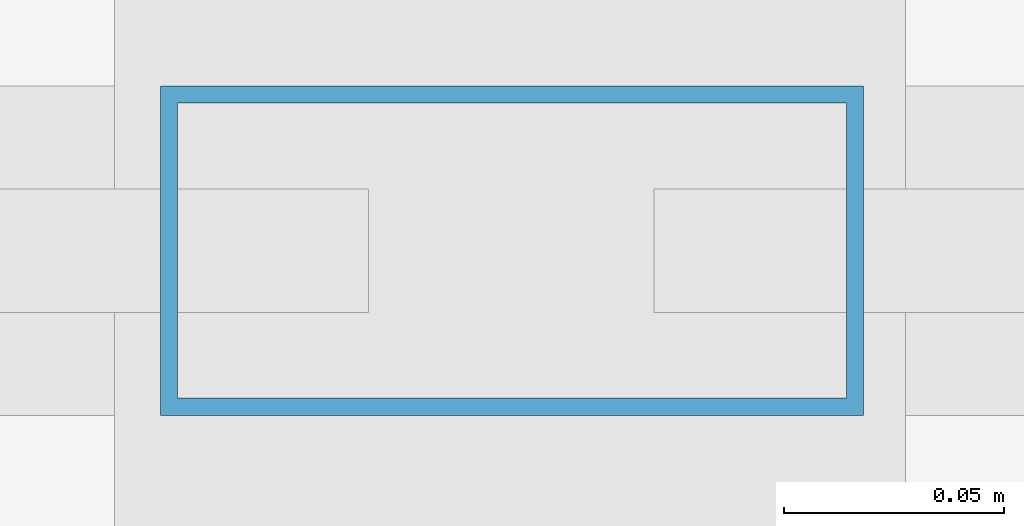
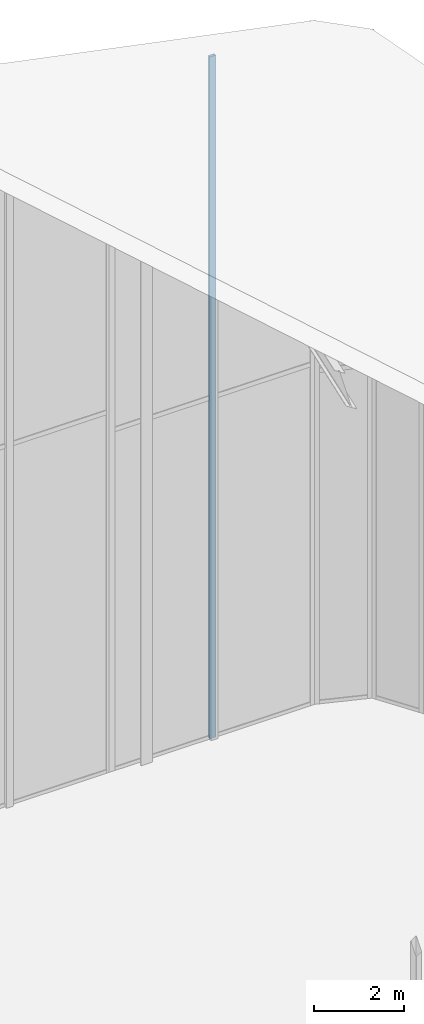
# One storey, part 60 of 74: 1 member, 1 element without a shape of its own.
"""IFC4 building model written with IfcOpenShell, lengths in metres."""

from ifc_helpers import new_model, si_unit, direction, frame, origin, origin_2d, place, context, subcontext, project, spatial, hollow_rectangle, extrude, material, layer, layer_set, material_profile, profile_set, type_object, element, aggregate, save


model = new_model("IFC4")

# Units and contexts
model_context = context("Model", 3, precision=1e-05, world=origin(), true_north=direction((0.0, 1.0)))
body_context = subcontext(model_context, "Body", "Model", "MODEL_VIEW")
ifc_project = project(units=[si_unit("LENGTHUNIT", "METRE"), si_unit("AREAUNIT", "SQUARE_METRE"), si_unit("VOLUMEUNIT", "CUBIC_METRE"), si_unit("PLANEANGLEUNIT", "RADIAN"), si_unit("MASSUNIT", "GRAM", prefix="KILO")], contexts=[model_context])

# Site, building, storey
site_placement = place(None, origin())
site = spatial("IfcSite", under=ifc_project, at=site_placement, CompositionType="ELEMENT")
building_placement = place(site_placement, origin())
building = spatial("IfcBuilding", under=site, at=building_placement, Name="Keshet Zoharim Tower", CompositionType="ELEMENT")
storey_placement = place(building_placement, frame((0.0, 0.0, 320.0)))
storey = spatial("IfcBuildingStorey", under=building, at=storey_placement, Name="RF", CompositionType="ELEMENT", Elevation=320.0)

# Curtain wall, member
ifc_material = material(Name="Aluminium 6063-T6", Category="aluminium")
ifc_layer = layer(ifc_material, 0.260009765625)
ifc_layer_set = layer_set([ifc_layer], Name="Aluminium 6063-T6")
curtain_wall_type = type_object("IfcCurtainWallType", Name="CW-SYS-06", PredefinedType="NOTDEFINED", material=ifc_layer_set)
curtain_wall_placement = place(storey_placement, origin())
curtain_wall = element("IfcCurtainWall", 1, at=curtain_wall_placement, inside=storey, type_object=curtain_wall_type, Name="Slanted Crown Curtain Wall 14", PredefinedType="NOTDEFINED")
ifc_material_profile = material_profile(ifc_material, hollow_rectangle(XDim=0.074951171875, YDim=0.159912109375, WallThickness=0.00390625, at=origin_2d()), Name="MUL-75x160")
ifc_profile_set = profile_set([ifc_material_profile], Name="Aluminium 6063-T6")
member_type = type_object("IfcMemberType", Name="CWM-M15", PredefinedType="MULLION", material=ifc_profile_set)
member_placement = place(storey_placement, frame((34.779541015625, 53.89990234375, 0.0), z_axis=(0.0, 0.0, 1.0), x_axis=(0.0, 1.0, 0.0)))
member = element("IfcMember", 2, at=member_placement, type_object=member_type, Name="CW-06 mullion 2", PredefinedType="MULLION", context=body_context, shape_type="SweptSolid", body=[
    extrude(hollow_rectangle(XDim=0.074951171875, YDim=0.159912109375, WallThickness=0.00390625, at=origin_2d()), origin(), (0.0, 0.0, 1.0), 18.573974609375),
])
aggregate(curtain_wall, [member])

save(model, "model.ifc")
